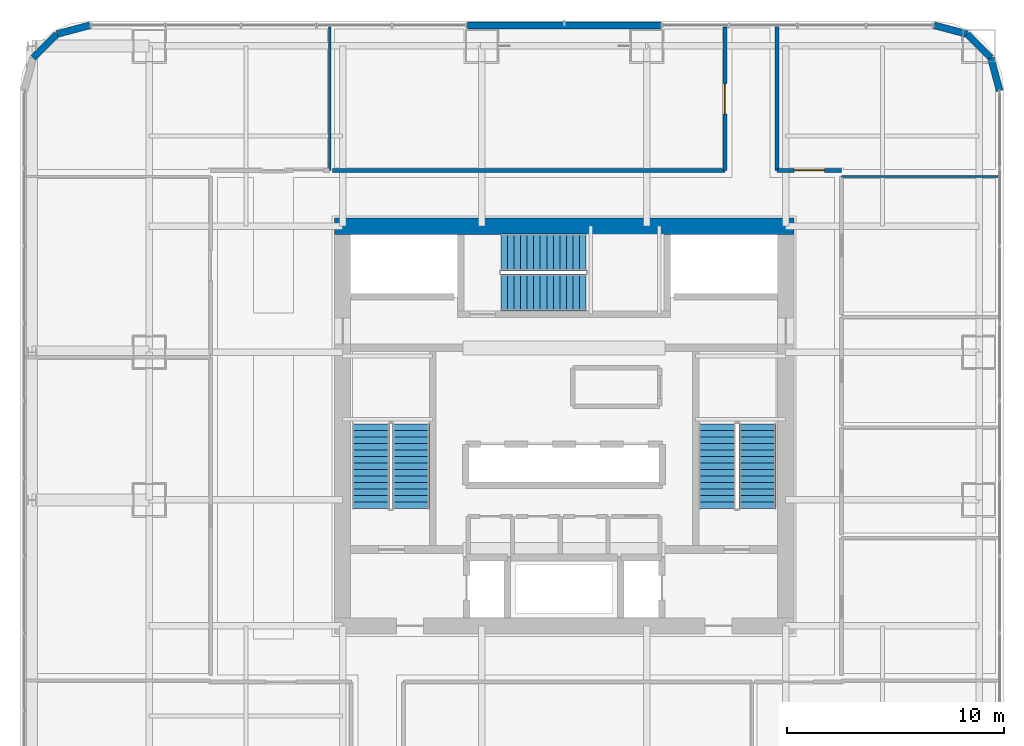
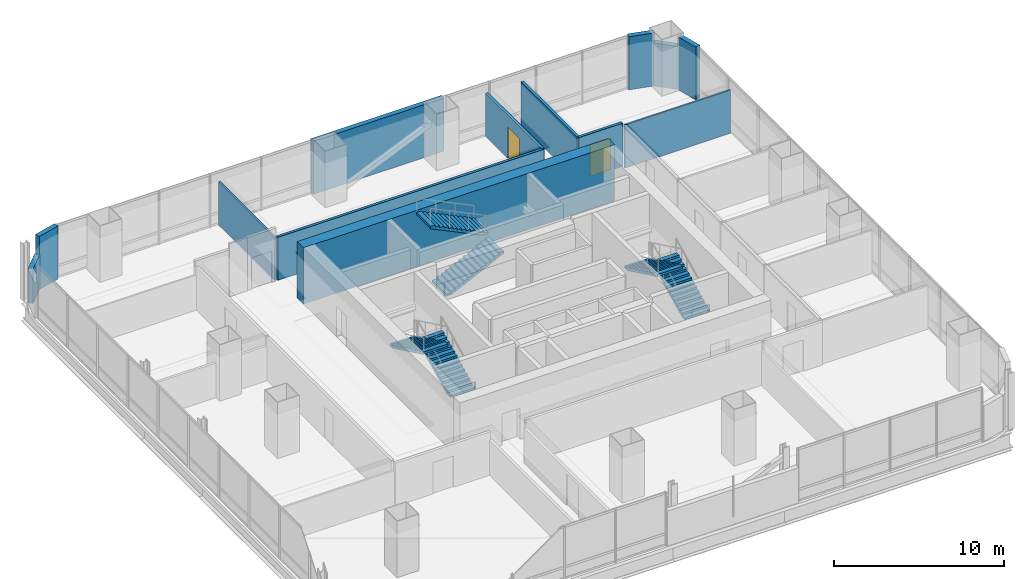
# One storey, part 28 of 37: 13 walls, 6 stair flights, 2 doors, 2 openings, 3 elements without a shape of their own.
"""IFC4 building model written with IfcOpenShell, lengths in metres."""

from ifc_helpers import new_model, si_unit, direction, frame, frame_2d, origin, place, context, subcontext, project, spatial, polyline, rectangle, outline, extrude, material, layer, layer_set, type_object, element, fill, aggregate, save


model = new_model("IFC4")

# Units and contexts
model_context = context("Model", 3, precision=1e-05, world=origin(), true_north=direction((0.0, 1.0)))
body_context = subcontext(model_context, "Body", "Model", "MODEL_VIEW")
ifc_project = project(units=[si_unit("LENGTHUNIT", "METRE"), si_unit("AREAUNIT", "SQUARE_METRE"), si_unit("VOLUMEUNIT", "CUBIC_METRE"), si_unit("PLANEANGLEUNIT", "RADIAN"), si_unit("MASSUNIT", "GRAM", prefix="KILO")], contexts=[model_context])

# Site, building, storey
site_placement = place(None, origin())
site = spatial("IfcSite", under=ifc_project, at=site_placement, CompositionType="ELEMENT")
building_placement = place(site_placement, origin())
building = spatial("IfcBuilding", under=site, at=building_placement, Name="Punatoya Terracotta Tower", CompositionType="ELEMENT")
storey_placement = place(building_placement, frame((0.0, 0.0, 44.39990234375)))
storey = spatial("IfcBuildingStorey", under=building, at=storey_placement, Name="L09", CompositionType="ELEMENT", Elevation=44.39990234375)

# Wall
ifc_material_1 = material(Name="Concrete C60/75", Category="concrete")
ifc_layer_1 = layer(ifc_material_1, 0.75)
ifc_layer_set_1 = layer_set([ifc_layer_1], Name="Concrete C60/75")
wall_type_1 = type_object("IfcWallType", Name="WL-COR-750", PredefinedType="SHEAR", material=ifc_layer_set_1)
wall_1_placement = place(storey_placement, frame((-10.574951171875, 9.199951171875, 0.0), z_axis=(0.0, 0.0, 1.0), x_axis=(1.0, 0.0, 0.0)))
element("IfcWall", 1, at=wall_1_placement, inside=storey, type_object=wall_type_1, Name="L09 Core Shear Wall N", PredefinedType="SHEAR", context=body_context, shape_type="SweptSolid", body=[
    extrude(rectangle(XDim=21.14990234375, YDim=0.75, at=frame_2d((10.574951171875, 0.0))), origin(), (0.0, 0.0, 1.0), 4.050048828125),
])

# Wall, opening, door
ifc_material_2 = material(Name="Gypsum Fireboard + Steel Stud", Category="steel")
ifc_layer_2 = layer(ifc_material_2, 0.179931640625)
ifc_layer_set_2 = layer_set([ifc_layer_2], Name="Gypsum Fireboard + Steel Stud")
wall_type_2 = type_object("IfcWallType", Name="WL-CORR-180", PredefinedType="PARTITIONING", material=ifc_layer_set_2)
wall_2_placement = place(storey_placement, frame((12.77001953125, 11.77001953125, 0.0), z_axis=(0.0, 0.0, 1.0), x_axis=(-1.0, 0.0, 0.0)))
wall_2 = element("IfcWall", 2, at=wall_2_placement, inside=storey, type_object=wall_type_2, Name="L09 Open-Plan Translation Conference Room Partition 38", PredefinedType="PARTITIONING", context=body_context, shape_type="SweptSolid", body=[
    extrude(rectangle(XDim=2.969970703125, YDim=0.179931640625, at=frame_2d((1.48486328125, 0.0))), origin(), (0.0, 0.0, 1.0), 3.10400390625),
])
opening_1_placement = place(wall_2_placement, frame((0.784912109375, 0.0, 0.0)))
opening_1 = element("IfcOpeningElement", 3, at=opening_1_placement, cuts=wall_2, Name="Opening BD-01", PredefinedType="OPENING", context=body_context, shape_type="SweptSolid", body=[
    extrude(rectangle(XDim=1.39990234375, YDim=2.25, at=frame_2d((0.699951171875, 1.125))), frame((0.0, 0.099853515625, 0.0), z_axis=(0.0, -1.0, 0.0), x_axis=(1.0, 0.0, 0.0)), (0.0, 0.0, 1.0), 0.199951171875),
])
ifc_material_3 = material(Name="Bengal Teak Acoustic Leaf")
door_type = type_object("IfcDoorType", Name="DR-BRD-1400", OperationType="NOTDEFINED", PredefinedType="DOOR", material=ifc_material_3)
door_1_placement = place(opening_1_placement, origin())
door_1 = element("IfcDoor", 4, at=door_1_placement, inside=storey, type_object=door_type, Name="L09 Open-Plan Translation Conference Room Door", OperationType="SINGLE_SWING_LEFT", OverallHeight=2.25, OverallWidth=1.39990234375, PredefinedType="DOOR", context=body_context, shape_type="SweptSolid", body=[
    extrude(rectangle(XDim=1.39990234375, YDim=2.25, at=frame_2d((0.699951171875, 1.125))), frame((0.0, 0.02490234375, 0.0), z_axis=(0.0, -1.0, 0.0), x_axis=(1.0, 0.0, 0.0)), (0.0, 0.0, 1.0), 0.050048828125),
])
fill(opening_1, door_1)

# Wall
wall_3_placement = place(storey_placement, frame((9.800048828125, 11.77001953125, 0.0), z_axis=(0.0, 0.0, 1.0), x_axis=(0.0, 1.0, 0.0)))
element("IfcWall", 5, at=wall_3_placement, inside=storey, type_object=wall_type_2, Name="L09 Open-Plan Translation Conference Room Partition 39", PredefinedType="PARTITIONING", context=body_context, shape_type="SweptSolid", body=[
    extrude(rectangle(XDim=6.60009765625, YDim=0.179931640625, at=frame_2d((3.300048828125, 0.0))), origin(), (0.0, 0.0, 1.0), 3.10400390625),
])

# Wall, opening, door
wall_4_placement = place(storey_placement, frame((7.39990234375, 18.3701171875, 0.0), z_axis=(0.0, 0.0, 1.0), x_axis=(0.0, -1.0, 0.0)))
wall_4 = element("IfcWall", 6, at=wall_4_placement, inside=storey, type_object=wall_type_2, Name="L09 Open-Plan Plenary Seminar Room Partition 40", PredefinedType="PARTITIONING", context=body_context, shape_type="SweptSolid", body=[
    extrude(rectangle(XDim=6.60009765625, YDim=0.179931640625, at=frame_2d((3.300048828125, 0.0))), origin(), (0.0, 0.0, 1.0), 3.10400390625),
])
opening_2_placement = place(wall_4_placement, frame((2.60009765625, 0.0, 0.0)))
opening_2 = element("IfcOpeningElement", 7, at=opening_2_placement, cuts=wall_4, Name="Opening BD-01", PredefinedType="OPENING", context=body_context, shape_type="SweptSolid", body=[
    extrude(rectangle(XDim=1.39990234375, YDim=2.25, at=frame_2d((0.699951171875, 1.125))), frame((0.0, 0.099853515625, 0.0), z_axis=(0.0, -1.0, 0.0), x_axis=(1.0, 0.0, 0.0)), (0.0, 0.0, 1.0), 0.199951171875),
])
door_2_placement = place(opening_2_placement, origin())
door_2 = element("IfcDoor", 8, at=door_2_placement, inside=storey, type_object=door_type, Name="L09 Open-Plan Plenary Seminar Room Door", OperationType="SINGLE_SWING_RIGHT", OverallHeight=2.25, OverallWidth=1.39990234375, PredefinedType="DOOR", context=body_context, shape_type="SweptSolid", body=[
    extrude(rectangle(XDim=1.39990234375, YDim=2.25, at=frame_2d((0.699951171875, 1.125))), frame((0.0, 0.02490234375, 0.0), z_axis=(0.0, -1.0, 0.0), x_axis=(1.0, 0.0, 0.0)), (0.0, 0.0, 1.0), 0.050048828125),
])
fill(opening_2, door_2)

# Walls
wall_5_placement = place(storey_placement, frame((7.39990234375, 11.77001953125, 0.0), z_axis=(0.0, 0.0, 1.0), x_axis=(-1.0, 0.0, 0.0)))
element("IfcWall", 9, at=wall_5_placement, inside=storey, type_object=wall_type_2, Name="L09 Open-Plan Plenary Seminar Room Partition 41", PredefinedType="PARTITIONING", context=body_context, shape_type="SweptSolid", body=[
    extrude(rectangle(XDim=18.073974609375, YDim=0.179931640625, at=frame_2d((9.037109375, 0.0))), origin(), (0.0, 0.0, 1.0), 3.10400390625),
])
ifc_material_4 = material(Name="Precast concrete C40/50", Category="concrete")
ifc_layer_3 = layer(ifc_material_4, 0.320068359375)
ifc_layer_set_3 = layer_set([ifc_layer_3], Name="Precast concrete C40/50")
wall_type_3 = type_object("IfcWallType", Name="WL-EXT-320", PredefinedType="SOLIDWALL", material=ifc_layer_set_3)
wall_6_placement = place(storey_placement, frame((20.050048828125, 15.43701171875, 0.0), z_axis=(0.0, 0.0, 1.0), x_axis=(-0.257847112249, 0.966185730957, 0.0)))
element("IfcWall", 10, at=wall_6_placement, inside=storey, type_object=wall_type_3, Name="L09 Rounded Terracotta Corner Pier 06", PredefinedType="SOLIDWALL", context=body_context, shape_type="SweptSolid", body=[
    extrude(rectangle(XDim=1.565185546875, YDim=0.320068359375, at=frame_2d((0.78271484375, 0.0))), origin(), (0.0, 0.0, 1.0), 3.81005859375),
])
wall_7_placement = place(storey_placement, frame((19.646484375, 16.94921875, 0.0), z_axis=(0.0, 0.0, 1.0), x_axis=(-0.707106781187, 0.707106781187, 0.0)))
element("IfcWall", 11, at=wall_7_placement, inside=storey, type_object=wall_type_3, Name="L09 Rounded Terracotta Corner Pier 07", PredefinedType="SOLIDWALL", context=body_context, shape_type="SweptSolid", body=[
    extrude(rectangle(XDim=1.552001953125, YDim=0.320068359375, at=frame_2d((0.77587890625, 0.0))), origin(), (0.0, 0.0, 1.0), 3.10400390625),
])
wall_8_placement = place(storey_placement, frame((18.549072265625, 18.046630859375, 0.0), z_axis=(0.0, 0.0, 1.0), x_axis=(-0.966224582397, 0.257701486942, 0.0)))
element("IfcWall", 12, at=wall_8_placement, inside=storey, type_object=wall_type_3, Name="L09 Rounded Terracotta Corner Pier 08", PredefinedType="SOLIDWALL", context=body_context, shape_type="SweptSolid", body=[
    extrude(rectangle(XDim=1.565185546875, YDim=0.320068359375, at=frame_2d((0.78271484375, 0.0))), origin(), (0.0, 0.0, 1.0), 3.81005859375),
])
wall_9_placement = place(storey_placement, frame((4.449951171875, 18.449951171875, 0.0), z_axis=(0.0, 0.0, 1.0), x_axis=(-1.0, 0.0, 0.0)))
element("IfcWall", 13, at=wall_9_placement, inside=storey, type_object=wall_type_3, Name="L09 Terracotta Braced Facade Wall N1", PredefinedType="SOLIDWALL", context=body_context, shape_type="SweptSolid", body=[
    extrude(rectangle(XDim=8.89990234375, YDim=0.320068359375, at=frame_2d((4.449951171875, 0.0))), origin(), (0.0, 0.0, 1.0), 3.81005859375),
])
wall_10_placement = place(storey_placement, frame((-21.8369140625, 18.449951171875, 0.0), z_axis=(0.0, 0.0, 1.0), x_axis=(-0.966224582397, -0.257701486942, 0.0)))
element("IfcWall", 14, at=wall_10_placement, inside=storey, type_object=wall_type_3, Name="L09 Rounded Terracotta Corner Pier 10", PredefinedType="SOLIDWALL", context=body_context, shape_type="SweptSolid", body=[
    extrude(rectangle(XDim=1.565185546875, YDim=0.320068359375, at=frame_2d((0.78271484375, 0.0))), origin(), (0.0, 0.0, 1.0), 3.81005859375),
])
wall_11_placement = place(storey_placement, frame((-23.34912109375, 18.046630859375, 0.0), z_axis=(0.0, 0.0, 1.0), x_axis=(-0.707106781187, -0.707106781187, 0.0)))
element("IfcWall", 15, at=wall_11_placement, inside=storey, type_object=wall_type_3, Name="L09 Rounded Terracotta Corner Pier 11", PredefinedType="SOLIDWALL", context=body_context, shape_type="SweptSolid", body=[
    extrude(rectangle(XDim=1.552001953125, YDim=0.320068359375, at=frame_2d((0.77587890625, 0.0))), origin(), (0.0, 0.0, 1.0), 2.484130859375),
])
ifc_material_5 = material(Name="Aluminium Framed Acoustic Glass Partition", Category="aluminium")
ifc_layer_4 = layer(ifc_material_5, 0.10009765625)
ifc_layer_set_4 = layer_set([ifc_layer_4], Name="Aluminium Framed Acoustic Glass Partition")
wall_type_4 = type_object("IfcWallType", Name="WL-GLZ-100", PredefinedType="PARTITIONING", material=ifc_layer_set_4)
wall_12_placement = place(storey_placement, frame((12.77001953125, 11.489990234375, 0.0), z_axis=(0.0, 0.0, 1.0), x_axis=(1.0, 0.0, 0.0)))
element("IfcWall", 16, at=wall_12_placement, inside=storey, type_object=wall_type_4, Name="L09 Symposium Colloquium Room Partition 33", PredefinedType="PARTITIONING", context=body_context, shape_type="SweptSolid", body=[
    extrude(rectangle(XDim=7.199951171875, YDim=0.10009765625, at=frame_2d((3.60009765625, 0.0))), origin(), (0.0, 0.0, 1.0), 3.10400390625),
])
ifc_material_6 = material(Name="Gypsum Partition + Steel Stud", Category="steel")
ifc_layer_5 = layer(ifc_material_6, 0.1201171875)
ifc_layer_set_5 = layer_set([ifc_layer_5], Name="Gypsum Partition + Steel Stud")
wall_type_5 = type_object("IfcWallType", Name="WL-OFF-120", PredefinedType="PARTITIONING", material=ifc_layer_set_5)
wall_13_placement = place(storey_placement, frame((-10.7939453125, 18.3701171875, 0.0), z_axis=(0.0, 0.0, 1.0), x_axis=(0.0, -1.0, 0.0)))
element("IfcWall", 17, at=wall_13_placement, inside=storey, type_object=wall_type_5, Name="L09 Open-Plan Roundtable Conference Room Partition 34", PredefinedType="PARTITIONING", context=body_context, shape_type="SweptSolid", body=[
    extrude(rectangle(XDim=6.60009765625, YDim=0.1201171875, at=frame_2d((3.300048828125, 0.0))), origin(), (0.0, 0.0, 1.0), 3.10400390625),
])

# Stair, stair flights
ifc_material_7 = material(Name="Concrete C40/50", Category="concrete")
stair_type_1 = type_object("IfcStairType", Name="STR-CORE-1550", PredefinedType="HALF_TURN_STAIR", material=ifc_material_7)
stair_1_placement = place(storey_placement, origin())
stair_1 = element("IfcStair", 18, at=stair_1_placement, inside=storey, type_object=stair_type_1, Name="L09 Protected Core Exit Stair ST-1", PredefinedType="HALF_TURN_STAIR")
stair_flight_type_1 = type_object("IfcStairFlightType", Name="SFL-CORE-1550", PredefinedType="STRAIGHT", material=ifc_material_7)
stair_flight_1_placement = place(storey_placement, frame((-7.050048828125, -3.800048828125, 0.0), z_axis=(0.0, 0.0, 1.0), x_axis=(0.0, 1.0, 0.0)))
stair_flight_1 = element("IfcStairFlight", 19, at=stair_flight_1_placement, type_object=stair_flight_type_1, Name="ST-1 flight 1", NumberOfRisers=14, NumberOfTreads=13, PredefinedType="STRAIGHT", RiserHeight=0.144642857, TreadLength=0.3, context=body_context, shape_type="SweptSolid", body=[
    extrude(outline(polyline([(0.0, 0.0), (0.0, 0.14453125), (0.300048828125, 0.14453125), (0.300048828125, 0.289306640625), (0.60009765625, 0.289306640625), (0.60009765625, 0.433837890625), (0.89990234375, 0.433837890625), (0.89990234375, 0.57861328125), (1.199951171875, 0.57861328125), (1.199951171875, 0.72314453125), (1.5, 0.72314453125), (1.5, 0.867919921875), (1.800048828125, 0.867919921875), (1.800048828125, 1.012451171875), (2.10009765625, 1.012451171875), (2.10009765625, 1.1572265625), (2.39990234375, 1.1572265625), (2.39990234375, 1.3017578125), (2.699951171875, 1.3017578125), (2.699951171875, 1.446533203125), (3.0, 1.446533203125), (3.0, 1.591064453125), (3.300048828125, 1.591064453125), (3.300048828125, 1.735595703125), (3.60009765625, 1.735595703125), (3.60009765625, 1.88037109375), (3.89990234375, 1.88037109375), (3.89990234375, 2.02490234375), (3.89990234375, 1.7138671875), (0.34521484375, 0.0), (0.0, 0.0)])), frame((0.0, 0.85009765625, 0.0), z_axis=(0.0, -1.0, 0.0), x_axis=(1.0, 0.0, 0.0)), (0.0, 0.0, 1.0), 1.699951171875),
])
stair_flight_2_placement = place(storey_placement, frame((-8.89990234375, 0.10009765625, 2.025146484375), z_axis=(0.0, 0.0, 1.0), x_axis=(0.0, -1.0, 0.0)))
stair_flight_2 = element("IfcStairFlight", 20, at=stair_flight_2_placement, type_object=stair_flight_type_1, Name="ST-1 flight 2", NumberOfRisers=14, NumberOfTreads=13, PredefinedType="STRAIGHT", RiserHeight=0.144642857, TreadLength=0.3, context=body_context, shape_type="SweptSolid", body=[
    extrude(outline(polyline([(0.0, 0.0), (0.0, 0.14453125), (0.300048828125, 0.14453125), (0.300048828125, 0.289306640625), (0.60009765625, 0.289306640625), (0.60009765625, 0.433837890625), (0.89990234375, 0.433837890625), (0.89990234375, 0.57861328125), (1.199951171875, 0.57861328125), (1.199951171875, 0.72314453125), (1.5, 0.72314453125), (1.5, 0.867919921875), (1.800048828125, 0.867919921875), (1.800048828125, 1.012451171875), (2.10009765625, 1.012451171875), (2.10009765625, 1.1572265625), (2.39990234375, 1.1572265625), (2.39990234375, 1.3017578125), (2.699951171875, 1.3017578125), (2.699951171875, 1.446533203125), (3.0, 1.446533203125), (3.0, 1.591064453125), (3.300048828125, 1.591064453125), (3.300048828125, 1.735595703125), (3.60009765625, 1.735595703125), (3.60009765625, 1.88037109375), (3.89990234375, 1.88037109375), (3.89990234375, 2.02490234375), (3.89990234375, 1.7138671875), (0.34521484375, 0.0), (0.0, 0.0)])), frame((0.0, 0.85009765625, 0.0), z_axis=(0.0, -1.0, 0.0), x_axis=(1.0, 0.0, 0.0)), (0.0, 0.0, 1.0), 1.699951171875),
])
aggregate(stair_1, [stair_flight_1, stair_flight_2])

stair_type_2 = type_object("IfcStairType", Name="STR-LOB-1650", PredefinedType="HALF_TURN_STAIR", material=ifc_material_7)
stair_2_placement = place(storey_placement, origin())
stair_2 = element("IfcStair", 21, at=stair_2_placement, inside=storey, type_object=stair_type_2, Name="L09 Protected Core Exit Stair ST-2", PredefinedType="HALF_TURN_STAIR")
stair_flight_type_2 = type_object("IfcStairFlightType", Name="SFL-LOB-1650", PredefinedType="STRAIGHT", material=ifc_material_7)
stair_flight_3_placement = place(storey_placement, frame((8.89990234375, -3.800048828125, 0.0), z_axis=(0.0, 0.0, 1.0), x_axis=(0.0, 1.0, 0.0)))
stair_flight_3 = element("IfcStairFlight", 22, at=stair_flight_3_placement, type_object=stair_flight_type_2, Name="ST-2 flight 1", NumberOfRisers=14, NumberOfTreads=13, PredefinedType="STRAIGHT", RiserHeight=0.144642857, TreadLength=0.3, context=body_context, shape_type="SweptSolid", body=[
    extrude(outline(polyline([(0.0, 0.0), (0.0, 0.14453125), (0.300048828125, 0.14453125), (0.300048828125, 0.289306640625), (0.60009765625, 0.289306640625), (0.60009765625, 0.433837890625), (0.89990234375, 0.433837890625), (0.89990234375, 0.57861328125), (1.199951171875, 0.57861328125), (1.199951171875, 0.72314453125), (1.5, 0.72314453125), (1.5, 0.867919921875), (1.800048828125, 0.867919921875), (1.800048828125, 1.012451171875), (2.10009765625, 1.012451171875), (2.10009765625, 1.1572265625), (2.39990234375, 1.1572265625), (2.39990234375, 1.3017578125), (2.699951171875, 1.3017578125), (2.699951171875, 1.446533203125), (3.0, 1.446533203125), (3.0, 1.591064453125), (3.300048828125, 1.591064453125), (3.300048828125, 1.735595703125), (3.60009765625, 1.735595703125), (3.60009765625, 1.88037109375), (3.89990234375, 1.88037109375), (3.89990234375, 2.02490234375), (3.89990234375, 1.7138671875), (0.34521484375, 0.0), (0.0, 0.0)])), frame((0.0, 0.85009765625, 0.0), z_axis=(0.0, -1.0, 0.0), x_axis=(1.0, 0.0, 0.0)), (0.0, 0.0, 1.0), 1.699951171875),
])
stair_flight_4_placement = place(storey_placement, frame((7.050048828125, 0.10009765625, 2.025146484375), z_axis=(0.0, 0.0, 1.0), x_axis=(0.0, -1.0, 0.0)))
stair_flight_4 = element("IfcStairFlight", 23, at=stair_flight_4_placement, type_object=stair_flight_type_2, Name="ST-2 flight 2", NumberOfRisers=14, NumberOfTreads=13, PredefinedType="STRAIGHT", RiserHeight=0.144642857, TreadLength=0.3, context=body_context, shape_type="SweptSolid", body=[
    extrude(outline(polyline([(0.0, 0.0), (0.0, 0.14453125), (0.300048828125, 0.14453125), (0.300048828125, 0.289306640625), (0.60009765625, 0.289306640625), (0.60009765625, 0.433837890625), (0.89990234375, 0.433837890625), (0.89990234375, 0.57861328125), (1.199951171875, 0.57861328125), (1.199951171875, 0.72314453125), (1.5, 0.72314453125), (1.5, 0.867919921875), (1.800048828125, 0.867919921875), (1.800048828125, 1.012451171875), (2.10009765625, 1.012451171875), (2.10009765625, 1.1572265625), (2.39990234375, 1.1572265625), (2.39990234375, 1.3017578125), (2.699951171875, 1.3017578125), (2.699951171875, 1.446533203125), (3.0, 1.446533203125), (3.0, 1.591064453125), (3.300048828125, 1.591064453125), (3.300048828125, 1.735595703125), (3.60009765625, 1.735595703125), (3.60009765625, 1.88037109375), (3.89990234375, 1.88037109375), (3.89990234375, 2.02490234375), (3.89990234375, 1.7138671875), (0.34521484375, 0.0), (0.0, 0.0)])), frame((0.0, 0.85009765625, 0.0), z_axis=(0.0, -1.0, 0.0), x_axis=(1.0, 0.0, 0.0)), (0.0, 0.0, 1.0), 1.699951171875),
])
aggregate(stair_2, [stair_flight_3, stair_flight_4])

stair_type_3 = type_object("IfcStairType", Name="STR-TER-1450", PredefinedType="HALF_TURN_STAIR", material=ifc_material_7)
stair_3_placement = place(storey_placement, origin())
stair_3 = element("IfcStair", 24, at=stair_3_placement, inside=storey, type_object=stair_type_3, Name="L09 Protected Core Exit Stair ST-3", PredefinedType="HALF_TURN_STAIR")
stair_flight_type_3 = type_object("IfcStairFlightType", Name="SFL-TER-1450", PredefinedType="STRAIGHT", material=ifc_material_7)
stair_flight_5_placement = place(storey_placement, frame((-2.89990234375, 6.14990234375, 0.0), z_axis=(0.0, 0.0, 1.0), x_axis=(1.0, 0.0, 0.0)))
stair_flight_5 = element("IfcStairFlight", 25, at=stair_flight_5_placement, type_object=stair_flight_type_3, Name="ST-3 flight 1", NumberOfRisers=14, NumberOfTreads=13, PredefinedType="STRAIGHT", RiserHeight=0.144642857, TreadLength=0.3, context=body_context, shape_type="SweptSolid", body=[
    extrude(outline(polyline([(0.0, 0.0), (0.0, 0.14453125), (0.300048828125, 0.14453125), (0.300048828125, 0.289306640625), (0.60009765625, 0.289306640625), (0.60009765625, 0.433837890625), (0.89990234375, 0.433837890625), (0.89990234375, 0.57861328125), (1.199951171875, 0.57861328125), (1.199951171875, 0.72314453125), (1.5, 0.72314453125), (1.5, 0.867919921875), (1.800048828125, 0.867919921875), (1.800048828125, 1.012451171875), (2.10009765625, 1.012451171875), (2.10009765625, 1.1572265625), (2.39990234375, 1.1572265625), (2.39990234375, 1.3017578125), (2.699951171875, 1.3017578125), (2.699951171875, 1.446533203125), (3.0, 1.446533203125), (3.0, 1.591064453125), (3.300048828125, 1.591064453125), (3.300048828125, 1.735595703125), (3.60009765625, 1.735595703125), (3.60009765625, 1.88037109375), (3.89990234375, 1.88037109375), (3.89990234375, 2.02490234375), (3.89990234375, 1.7138671875), (0.34521484375, 0.0), (0.0, 0.0)])), frame((0.0, 0.85009765625, 0.0), z_axis=(0.0, -1.0, 0.0), x_axis=(1.0, 0.0, 0.0)), (0.0, 0.0, 1.0), 1.699951171875),
])
stair_flight_6_placement = place(storey_placement, frame((1.0, 8.0, 2.025146484375), z_axis=(0.0, 0.0, 1.0), x_axis=(-1.0, 0.0, 0.0)))
stair_flight_6 = element("IfcStairFlight", 26, at=stair_flight_6_placement, type_object=stair_flight_type_3, Name="ST-3 flight 2", NumberOfRisers=14, NumberOfTreads=13, PredefinedType="STRAIGHT", RiserHeight=0.144642857, TreadLength=0.3, context=body_context, shape_type="SweptSolid", body=[
    extrude(outline(polyline([(0.0, 0.0), (0.0, 0.14453125), (0.300048828125, 0.14453125), (0.300048828125, 0.289306640625), (0.60009765625, 0.289306640625), (0.60009765625, 0.433837890625), (0.89990234375, 0.433837890625), (0.89990234375, 0.57861328125), (1.199951171875, 0.57861328125), (1.199951171875, 0.72314453125), (1.5, 0.72314453125), (1.5, 0.867919921875), (1.800048828125, 0.867919921875), (1.800048828125, 1.012451171875), (2.10009765625, 1.012451171875), (2.10009765625, 1.1572265625), (2.39990234375, 1.1572265625), (2.39990234375, 1.3017578125), (2.699951171875, 1.3017578125), (2.699951171875, 1.446533203125), (3.0, 1.446533203125), (3.0, 1.591064453125), (3.300048828125, 1.591064453125), (3.300048828125, 1.735595703125), (3.60009765625, 1.735595703125), (3.60009765625, 1.88037109375), (3.89990234375, 1.88037109375), (3.89990234375, 2.02490234375), (3.89990234375, 1.7138671875), (0.34521484375, 0.0), (0.0, 0.0)])), frame((0.0, 0.85009765625, 0.0), z_axis=(0.0, -1.0, 0.0), x_axis=(1.0, 0.0, 0.0)), (0.0, 0.0, 1.0), 1.699951171875),
])
aggregate(stair_3, [stair_flight_5, stair_flight_6])

save(model, "model.ifc")
